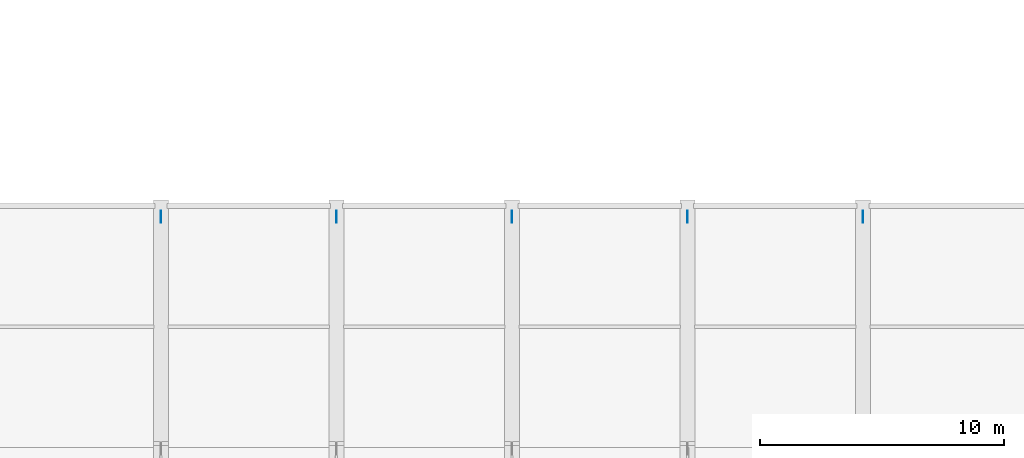
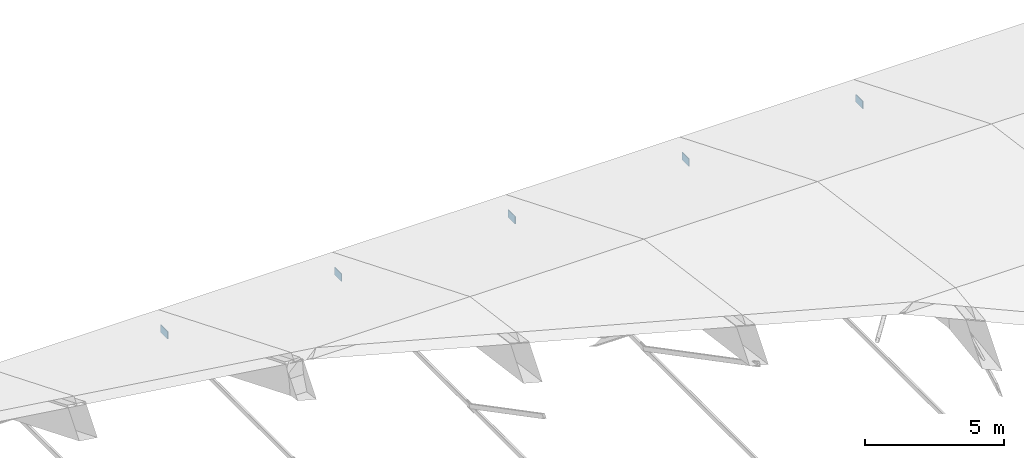
# One storey, part 18 of 22: 5 plates.
"""IFC4 building model written with IfcOpenShell, lengths in metres."""

from ifc_helpers import new_model, si_unit, direction, frame, origin, origin_2d, place, context, subcontext, project, spatial, rectangle, extrude, material, layer, layer_set, type_object, element, save


model = new_model("IFC4")

# Units and contexts
model_context = context("Model", 3, precision=1e-05, world=origin(), true_north=direction((0.0, 1.0)))
body_context = subcontext(model_context, "Body", "Model", "MODEL_VIEW")
ifc_project = project(units=[si_unit("LENGTHUNIT", "METRE"), si_unit("AREAUNIT", "SQUARE_METRE"), si_unit("VOLUMEUNIT", "CUBIC_METRE"), si_unit("PLANEANGLEUNIT", "RADIAN"), si_unit("MASSUNIT", "GRAM", prefix="KILO")], contexts=[model_context])

# Site, building, storey
site_placement = place(None, origin())
site = spatial("IfcSite", under=ifc_project, at=site_placement, CompositionType="ELEMENT")
building_placement = place(site_placement, origin())
building = spatial("IfcBuilding", under=site, at=building_placement, Name="Lusvemor Sports Hall", CompositionType="ELEMENT")
storey_placement = place(building_placement, frame((0.0, 0.0, 23.39990234375)))
storey = spatial("IfcBuildingStorey", under=building, at=storey_placement, Name="Roof", CompositionType="ELEMENT", Elevation=23.39990234375)

# Plates
ifc_material = material(Name="Steel S355", Category="steel")
ifc_layer = layer(ifc_material, 0.030029296875)
ifc_layer_set = layer_set([ifc_layer], Name="Steel S355")
plate_type = type_object("IfcPlateType", Name="GUSSET_ARCH_B", PredefinedType="USERDEFINED", material=ifc_layer_set)
for number, where, z_axis, x_axis, name in (
    (1, (133.199951171875, 39.159912109375, -2.474853515625), (0.0, 0.0, 1.0), (1.0, 0.0, 0.0), "East Arch Springing Gusset 15-N"),
    (2, (140.39990234375, 39.159912109375, -2.474853515625), (0.0, 0.0, 1.0), (1.0, 0.0, 0.0), "East Arch Springing Gusset 16-N"),
    (3, (147.60009765625, 39.159912109375, -2.474853515625), (0.0, 0.0, 1.0), (1.0, 0.0, 0.0), "East Arch Springing Gusset 17-N"),
    (4, (154.800048828125, 39.159912109375, -2.474853515625), (0.0, 0.0, 1.0), (1.0, 0.0, 0.0), "East Arch Springing Gusset 18-N"),
    (5, (162.0, 39.159912109375, -2.474853515625), (0.0, 0.0, 1.0), (1.0, 0.0, 0.0), "East Arch Springing Gusset 19-N"),
):
    element("IfcPlate", number, at=place(storey_placement, frame(where, z_axis=z_axis, x_axis=x_axis)), inside=storey, type_object=plate_type, Name=name, ObjectType="GUSSET_PLATE", PredefinedType="USERDEFINED", context=body_context, shape_type="SweptSolid", body=[
        extrude(rectangle(XDim=0.030029296875, YDim=0.5, at=origin_2d()), origin(), (0.0, 0.0, 1.0), 0.330078125),
    ])

save(model, "model.ifc")
